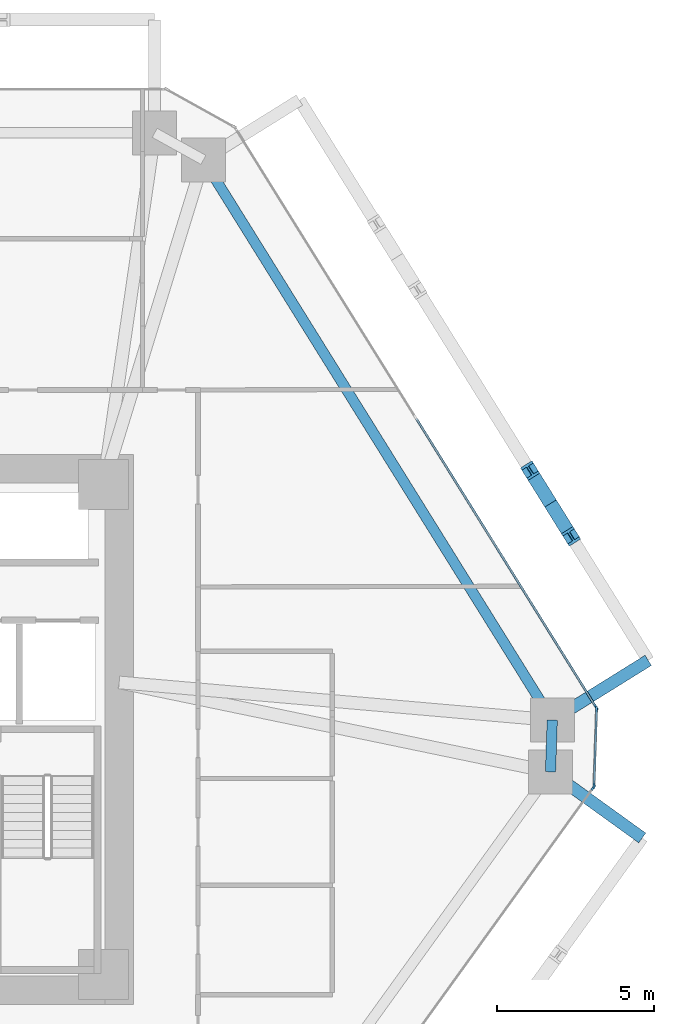
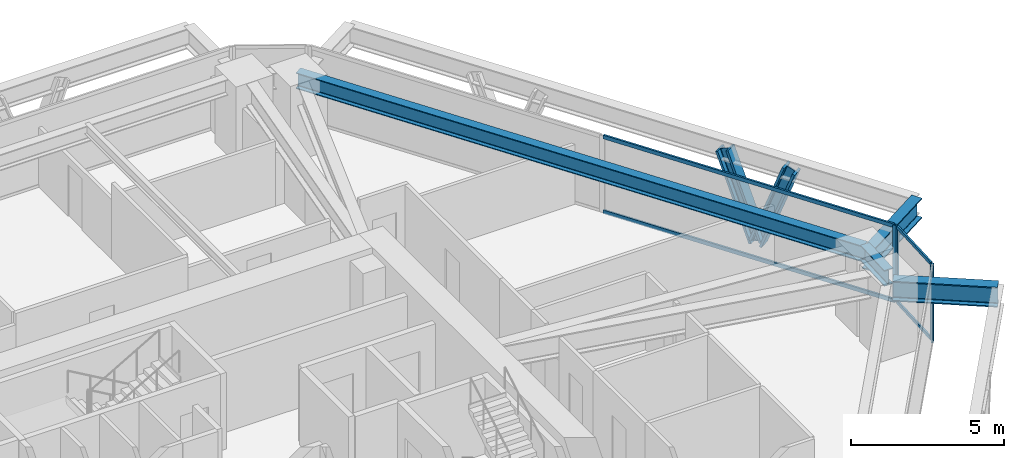
# One storey, part 6 of 15: 10 members, 4 beams, 3 elements without a shape of their own.
"""IFC4 building model written with IfcOpenShell, lengths in metres."""

import ifcopenshell
import ifcopenshell.guid

model = None  # the IFC model being written
_history = None  # IfcOwnerHistory: only IFC2X3 demands one
_inside = {}  # id of a spatial element -> (the spatial element, [elements in it])
_under = {}  # id of a project, library or spatial element -> (it, [spatial elements below it])
_declared = {}  # id of a project -> (the project, [libraries it declares])
_typed = {}  # id of a type object -> (the type object, [elements of that type])
_made_of = {}  # id of a material, layer set ... -> (it, [elements and type objects made of it])


def new_model(schema):
    """Start an empty IFC model of exactly this schema.

    Asked for "IFC4X3", IfcOpenShell would pick the latest addendum, in which some entities
    have other attributes; the version numbers below select the first issue.
    IFC2X3 requires an IfcOwnerHistory on every rooted entity: one is made here for all.
    """
    global model, _history
    if schema == "IFC4X3":
        model = ifcopenshell.file(schema_version=(4, 3, 0, 0))
    else:
        model = ifcopenshell.file(schema=schema)
    _inside.clear()
    _under.clear()
    _declared.clear()
    _typed.clear()
    _made_of.clear()
    _history = None
    if model.schema == "IFC2X3":
        org = make("IfcOrganization", Name="unknown")
        user = make(
            "IfcPersonAndOrganization",
            ThePerson=make("IfcPerson", FamilyName="unknown"),
            TheOrganization=org,
        )
        app = make(
            "IfcApplication",
            ApplicationDeveloper=org,
            Version="unknown",
            ApplicationFullName="unknown",
            ApplicationIdentifier="unknown",
        )
        _history = make(
            "IfcOwnerHistory",
            OwningUser=user,
            OwningApplication=app,
            ChangeAction="ADDED",
            CreationDate=0,
        )
    return model


def make(cls, **values):
    """One entity of the class cls with the attributes given. An attribute that is None is left unset."""
    return model.create_entity(
        cls, **{name: value for name, value in values.items() if value is not None}
    )


def rooted(cls, **values):
    """An entity with a GlobalId (a new one), such as an element, a storey or a relation."""
    return make(cls, GlobalId=ifcopenshell.guid.new(), OwnerHistory=_history, **values)


def si_unit(unit_type, name, prefix=None):
    """IfcSIUnit, for example si_unit("LENGTHUNIT", "METRE", prefix="MILLI")."""
    return make("IfcSIUnit", UnitType=unit_type, Prefix=prefix, Name=name)


def assignment(units):
    """IfcUnitAssignment: the units of a project."""
    return None if units is None else make("IfcUnitAssignment", Units=units)


def point(xyz):
    """IfcCartesianPoint."""
    return None if xyz is None else make("IfcCartesianPoint", Coordinates=xyz)


def direction(xyz):
    """IfcDirection."""
    return None if xyz is None else make("IfcDirection", DirectionRatios=xyz)


def frame(location, z_axis=None, x_axis=None):
    """IfcAxis2Placement3D, a coordinate frame: its origin and axes. An axis left out is left unset."""
    return make(
        "IfcAxis2Placement3D",
        Location=point(location),
        Axis=direction(z_axis),
        RefDirection=direction(x_axis),
    )


def frame_2d(location, x_axis=None):
    """IfcAxis2Placement2D, a coordinate frame in the plane: its origin and x axis."""
    return make(
        "IfcAxis2Placement2D", Location=point(location), RefDirection=direction(x_axis)
    )


def origin():
    """The frame at (0, 0, 0) with its axes left unset."""
    return frame((0.0, 0.0, 0.0))


def origin_2d():
    """The frame at (0, 0) in the plane with its x axis left unset."""
    return frame_2d((0.0, 0.0))


def place(relative_to, where):
    """IfcLocalPlacement: puts the frame where relative to a parent placement (None: the world)."""
    return make(
        "IfcLocalPlacement", PlacementRelTo=relative_to, RelativePlacement=where
    )


def context(
    kind, dimensions, precision=None, world=None, true_north=None, identifier=None
):
    """IfcGeometricRepresentationContext, for example the 3D "Model" context."""
    return make(
        "IfcGeometricRepresentationContext",
        ContextIdentifier=identifier,
        ContextType=kind,
        CoordinateSpaceDimension=dimensions,
        Precision=precision,
        WorldCoordinateSystem=world,
        TrueNorth=true_north,
    )


def subcontext(parent, identifier, kind, view, scale=None):
    """IfcGeometricRepresentationSubContext, for example "Body" below "Model"."""
    return make(
        "IfcGeometricRepresentationSubContext",
        ContextIdentifier=identifier,
        ContextType=kind,
        ParentContext=parent,
        TargetScale=scale,
        TargetView=view,
    )


def project(units=None, contexts=None):
    """IfcProject with its units and contexts."""
    return rooted(
        "IfcProject",
        Name="project",
        RepresentationContexts=contexts,
        UnitsInContext=assignment(units),
    )


def spatial(cls, under=None, at=None, **own):
    """A site, building, storey or space (cls), placed at a placement, below another one or the project."""
    s = rooted(cls, ObjectPlacement=at, **own)
    if under is not None:
        _under.setdefault(under.id(), (under, []))[1].append(s)
    return s


def profile(cls, at=None, kind="AREA", **sizes):
    """A parametric profile (cls). Its sizes go by their IFC names, for example OverallWidth=200.0."""
    return make(cls, ProfileType=kind, Position=at, **sizes)


def rectangle(**sizes):
    """IfcRectangleProfileDef."""
    return profile("IfcRectangleProfileDef", **sizes)


def i_section(**sizes):
    """IfcIShapeProfileDef."""
    return profile("IfcIShapeProfileDef", **sizes)


def extrude(swept, where, along, depth):
    """IfcExtrudedAreaSolid: the profile swept, set in the frame where, extruded along a direction by depth."""
    return make(
        "IfcExtrudedAreaSolid",
        SweptArea=swept,
        Position=where,
        ExtrudedDirection=direction(along),
        Depth=depth,
    )


def shape(context_of_items, identifier, shape_type, items):
    """IfcShapeRepresentation: the items that make up one representation, for example the "Body"."""
    return make(
        "IfcShapeRepresentation",
        ContextOfItems=context_of_items,
        RepresentationIdentifier=identifier,
        RepresentationType=shape_type,
        Items=items,
    )


def source(mapping_origin, context_of_items, identifier, shape_type, items):
    """IfcRepresentationMap: a shape defined once, which mapped items show again and again."""
    return make(
        "IfcRepresentationMap",
        MappingOrigin=mapping_origin,
        MappedRepresentation=shape(context_of_items, identifier, shape_type, items),
    )


def transform(
    local_origin,
    x_axis=None,
    y_axis=None,
    z_axis=None,
    scale=None,
    scale2=None,
    scale3=None,
    uniform=True,
):
    """IfcCartesianTransformationOperator3D, or its non-uniform kind. x_axis, y_axis, z_axis: its Axis1, 2, 3."""
    if uniform:
        return make(
            "IfcCartesianTransformationOperator3D",
            Axis1=direction(x_axis),
            Axis2=direction(y_axis),
            LocalOrigin=point(local_origin),
            Scale=scale,
            Axis3=direction(z_axis),
        )
    return make(
        "IfcCartesianTransformationOperator3DnonUniform",
        Axis1=direction(x_axis),
        Axis2=direction(y_axis),
        LocalOrigin=point(local_origin),
        Scale=scale,
        Axis3=direction(z_axis),
        Scale2=scale2,
        Scale3=scale3,
    )


def mapped(mapping_source, mapping_target):
    """IfcMappedItem: shows the shape of a source again, moved by a transform."""
    return make(
        "IfcMappedItem", MappingSource=mapping_source, MappingTarget=mapping_target
    )


def material(Name=None, Category=None):
    """IfcMaterial."""
    return make("IfcMaterial", Name=Name, Category=Category)


def layer(
    of_material, thickness, ventilated=None, Name=None, Category=None, Priority=None
):
    """IfcMaterialLayer: one layer of a wall or slab, of a material (None: an air gap)."""
    return make(
        "IfcMaterialLayer",
        Material=of_material,
        LayerThickness=thickness,
        IsVentilated=ventilated,
        Name=Name,
        Category=Category,
        Priority=Priority,
    )


def layer_set(layers, Name=None):
    """IfcMaterialLayerSet."""
    return make("IfcMaterialLayerSet", MaterialLayers=layers, LayerSetName=Name)


def material_profile(
    of_material, cross_section, Name=None, Category=None, Priority=None
):
    """IfcMaterialProfile: a cross section and its material."""
    return make(
        "IfcMaterialProfile",
        Name=Name,
        Material=of_material,
        Profile=cross_section,
        Priority=Priority,
        Category=Category,
    )


def profile_set(profiles, Name=None, composite=None):
    """IfcMaterialProfileSet."""
    return make(
        "IfcMaterialProfileSet",
        Name=Name,
        MaterialProfiles=profiles,
        CompositeProfile=composite,
    )


def made_of(thing, what):
    """Note that an element or type object is made of a material, layer set ...; save() writes the relation."""
    if what is not None:
        _made_of.setdefault(what.id(), (what, []))[1].append(thing)
    return thing


def type_object(cls, material=None, **own):
    """A type object (cls), such as IfcWallType, which elements share."""
    return made_of(rooted(cls, **own), material)


def type_shapes(of_type, sources):
    """Give a type object the sources (RepresentationMaps) that its elements show as mapped items."""
    of_type.RepresentationMaps = sources


def element(
    cls,
    number,
    at=None,
    inside=None,
    cuts=None,
    type_object=None,
    material=None,
    context=None,
    identifier="Body",
    shape_type=None,
    held_by="IfcProductDefinitionShape",
    body=None,
    shapes=None,
    **own,
):
    """One element of the class cls, such as IfcWall. Its Tag is "e" and its number.

    at: its placement. inside: the storey or other place that contains it. cuts: it is an
    opening in that element (IfcRelVoidsElement). A single representation is given by context,
    identifier, shape_type and body (its items); several are given by shapes. held_by: the class
    of the entity that holds the representations. save() writes the other relations.
    """
    e = rooted(cls, Tag="e%d" % number, ObjectPlacement=at, **own)
    if body is not None:
        shapes = [shape(context, identifier, shape_type, body)]
    if shapes is not None:
        e.Representation = make(held_by, Representations=shapes)
    if inside is not None:
        _inside.setdefault(inside.id(), (inside, []))[1].append(e)
    if cuts is not None:
        rooted(
            "IfcRelVoidsElement", RelatingBuildingElement=cuts, RelatedOpeningElement=e
        )
    if type_object is not None:
        _typed.setdefault(type_object.id(), (type_object, []))[1].append(e)
    return made_of(e, material)


def aggregate(whole, parts):
    """IfcRelAggregates: a whole, such as a stair, and the parts it consists of."""
    return rooted("IfcRelAggregates", RelatingObject=whole, RelatedObjects=parts)


def save(model, path):
    """Write the relations noted so far, then the file.

    IfcRelAggregates (storeys below a building ...), IfcRelContainedInSpatialStructure (elements
    in a storey), IfcRelDefinesByType, IfcRelAssociatesMaterial and IfcRelDeclares: one each for
    every whole, place, type object, material and project.
    """
    for whole, parts in _under.values():
        aggregate(whole, parts)
    for where, things in _inside.values():
        rooted(
            "IfcRelContainedInSpatialStructure",
            RelatedElements=things,
            RelatingStructure=where,
        )
    for kind, things in _typed.values():
        rooted("IfcRelDefinesByType", RelatedObjects=things, RelatingType=kind)
    for what, things in _made_of.values():
        rooted("IfcRelAssociatesMaterial", RelatedObjects=things, RelatingMaterial=what)
    for by, libraries in _declared.values():
        rooted("IfcRelDeclares", RelatingContext=by, RelatedDefinitions=libraries)
    model.write(path)


model = new_model("IFC4")

# Units and contexts
model_context = context("Model", 3, precision=1e-05, world=origin(), true_north=direction((0.0, 1.0)))
body_context = subcontext(model_context, "Body", "Model", "MODEL_VIEW")
ifc_project = project(units=[si_unit("LENGTHUNIT", "METRE"), si_unit("AREAUNIT", "SQUARE_METRE"), si_unit("VOLUMEUNIT", "CUBIC_METRE"), si_unit("PLANEANGLEUNIT", "RADIAN"), si_unit("MASSUNIT", "GRAM", prefix="KILO")], contexts=[model_context])

# Site, building, storey
site_placement = place(None, origin())
site = spatial("IfcSite", under=ifc_project, at=site_placement, CompositionType="ELEMENT")
building_placement = place(site_placement, origin())
building = spatial("IfcBuilding", under=site, at=building_placement, Name="Durnholm Broadcast Tower", CompositionType="ELEMENT")
storey_placement = place(building_placement, frame((0.0, 0.0, 42.300048828125)))
storey = spatial("IfcBuildingStorey", under=building, at=storey_placement, Name="L09", CompositionType="ELEMENT", Elevation=42.300048828125)

# Beams
ifc_material_1 = material(Name="Steel ASTM A992 Grade 50", Category="steel")
ifc_material_profile_1 = material_profile(ifc_material_1, i_section(OverallWidth=0.3291015625, OverallDepth=0.635009765625, WebThickness=0.017822265625, FlangeThickness=0.031005859375, FilletRadius=0.02783203125, at=origin_2d()), Name="W24X162")
ifc_profile_set_1 = profile_set([ifc_material_profile_1], Name="Steel ASTM A992 Grade 50")
beam_type_1 = type_object("IfcBeamType", Name="STL-SP-W24X162", PredefinedType="SPANDREL", material=ifc_profile_set_1)
shared_shape_1 = source(origin(), body_context, "Body", "SweptSolid", [
    extrude(i_section(OverallWidth=0.3291015625, OverallDepth=0.635009765625, WebThickness=0.017822265625, FlangeThickness=0.031005859375, FilletRadius=0.02783203125, at=origin_2d()), origin(), (0.0, 0.0, 1.0), 21.014404296875),
])
beam_1_placement = place(storey_placement, frame((12.982666015625, 18.138427734375, 2.7275390625), z_axis=(0.528595731543, -0.848873696491, 0.0), x_axis=(0.848873696491, 0.528595731543, 0.0)))
element("IfcBeam", 1, at=beam_1_placement, inside=storey, type_object=beam_type_1, Name="L09 perimeter spandrel girder 07", PredefinedType="SPANDREL", context=body_context, shape_type="MappedRepresentation", body=[
    mapped(shared_shape_1, transform((0.0, 0.0, 0.0), x_axis=(1.0, 0.0, 0.0), y_axis=(0.0, 1.0, 0.0), z_axis=(0.0, 0.0, 1.0), scale=1.0)),
])
shared_shape_2 = source(origin(), body_context, "Body", "SweptSolid", [
    extrude(i_section(OverallWidth=0.3291015625, OverallDepth=0.635009765625, WebThickness=0.017822265625, FlangeThickness=0.031005859375, FilletRadius=0.02783203125, at=origin_2d()), origin(), (0.0, 0.0, 1.0), 1.648193359375),
])
type_shapes(beam_type_1, [shared_shape_1, shared_shape_2])
beam_2_placement = place(storey_placement, frame((24.0908203125, 0.2998046875, 2.7275390625), z_axis=(-0.033921477804, -0.999424501072, 0.0), x_axis=(0.999424501072, -0.033921477804, 0.0)))
element("IfcBeam", 2, at=beam_2_placement, inside=storey, type_object=beam_type_1, Name="L09 perimeter spandrel girder 08", PredefinedType="SPANDREL", context=body_context, shape_type="MappedRepresentation", body=[
    mapped(shared_shape_2, transform((0.0, 0.0, 0.0), x_axis=(1.0, 0.0, 0.0), y_axis=(0.0, 1.0, 0.0), z_axis=(0.0, 0.0, 1.0), scale=1.0)),
])
ifc_material_profile_2 = material_profile(ifc_material_1, i_section(OverallWidth=0.385009765625, OverallDepth=0.802978515625, WebThickness=0.023681640625, FlangeThickness=0.0419921875, FilletRadius=0.032958984375, at=origin_2d()), Name="W30X261")
ifc_profile_set_2 = profile_set([ifc_material_profile_2], Name="Steel ASTM A992 Grade 50")
beam_type_2 = type_object("IfcBeamType", Name="BM-EXO-TIE", PredefinedType="USERDEFINED", material=ifc_profile_set_2)
shared_shape_3 = source(origin(), body_context, "Body", "SweptSolid", [
    extrude(i_section(OverallWidth=0.385009765625, OverallDepth=0.802978515625, WebThickness=0.023681640625, FlangeThickness=0.0419921875, FilletRadius=0.032958984375, at=origin_2d()), origin(), (0.0, 0.0, 1.0), 3.4560546875),
])
beam_3_placement = place(storey_placement, frame((24.212890625, 0.375732421875, 2.30859375), z_axis=(0.848874183218, 0.528594949906, 0.0), x_axis=(-0.528594949906, 0.848874183218, 0.0)))
element("IfcBeam", 3, at=beam_3_placement, inside=storey, type_object=beam_type_2, Name="L09 exoskeleton stand-off tie bracket F3.1", ObjectType="GIRDER", PredefinedType="USERDEFINED", context=body_context, shape_type="MappedRepresentation", body=[
    mapped(shared_shape_3, transform((0.0, 0.0, 0.0), x_axis=(1.0, 0.0, 0.0), y_axis=(0.0, 1.0, 0.0), z_axis=(0.0, 0.0, 1.0), scale=1.0)),
])
shared_shape_4 = source(origin(), body_context, "Body", "SweptSolid", [
    extrude(i_section(OverallWidth=0.385009765625, OverallDepth=0.802978515625, WebThickness=0.023681640625, FlangeThickness=0.0419921875, FilletRadius=0.032958984375, at=origin_2d()), origin(), (0.0, 0.0, 1.0), 3.455810546875),
])
type_shapes(beam_type_2, [shared_shape_3, shared_shape_4])
beam_4_placement = place(storey_placement, frame((24.15185546875, -1.431396484375, 2.30859375), z_axis=(0.811133512552, -0.584861030344, 0.0), x_axis=(0.584861030344, 0.811133512552, 0.0)))
element("IfcBeam", 4, at=beam_4_placement, inside=storey, type_object=beam_type_2, Name="L09 exoskeleton stand-off tie bracket F2.2", ObjectType="GIRDER", PredefinedType="USERDEFINED", context=body_context, shape_type="MappedRepresentation", body=[
    mapped(shared_shape_4, transform((0.0, 0.0, 0.0), x_axis=(1.0, 0.0, 0.0), y_axis=(0.0, 1.0, 0.0), z_axis=(0.0, 0.0, 1.0), scale=1.0)),
])

# Members
ifc_material_2 = material(Name="Steel ASTM A913 Grade 65", Category="steel")
ifc_material_profile_3 = material_profile(ifc_material_2, i_section(OverallWidth=0.43212890625, OverallDepth=0.497802734375, WebThickness=0.0556640625, FlangeThickness=0.0888671875, FilletRadius=0.030517578125, at=origin_2d()), Name="W14X500")
ifc_profile_set_3 = profile_set([ifc_material_profile_3], Name="Steel ASTM A913 Grade 65")
member_type_1 = type_object("IfcMemberType", Name="STL-DG-W14X500", PredefinedType="BRACE", material=ifc_profile_set_3)
shared_shape_5 = source(origin(), body_context, "Body", "SweptSolid", [
    extrude(i_section(OverallWidth=0.43212890625, OverallDepth=0.497802734375, WebThickness=0.0556640625, FlangeThickness=0.0888671875, FilletRadius=0.030517578125, at=origin_2d()), origin(), (0.0, 0.0, 1.0), 3.523193359375),
])
type_shapes(member_type_1, [shared_shape_5])
for number, where, z_axis, x_axis, name in (
    (5, (24.036376953125, 7.197509765625, -0.991455078125), (0.185157304084, -0.297277258428, 0.936665897941), (0.848819847179, 0.528682198523, 0.0), "L09 stand-off diagrid brace F3.D1.1"),
    (6, (24.036376953125, 7.197509765625, -0.991455078125), (-0.185090383068, 0.297281072018, 0.936677913861), (-0.848908635391, -0.528539618911, 0.0), "L09 stand-off diagrid brace F3.D1.2"),
):
    element("IfcMember", number, at=place(storey_placement, frame(where, z_axis=z_axis, x_axis=x_axis)), inside=storey, type_object=member_type_1, Name=name, PredefinedType="BRACE", context=body_context, shape_type="MappedRepresentation", body=[
        mapped(shared_shape_5, transform((0.0, 0.0, 0.0), x_axis=(1.0, 0.0, 0.0), y_axis=(0.0, 1.0, 0.0), z_axis=(0.0, 0.0, 1.0), scale=1.0)),
    ])

# Curtain wall, members
ifc_material_3 = material(Name="Aluminium and Solar Control IGU", Category="aluminium")
ifc_layer_1 = layer(ifc_material_3, 0.1650390625)
ifc_layer_set_1 = layer_set([ifc_layer_1], Name="Aluminium and Solar Control IGU")
curtain_wall_type_1 = type_object("IfcCurtainWallType", Name="CW-SYS-5", PredefinedType="NOTDEFINED", material=ifc_layer_set_1)
curtain_wall_1_placement = place(storey_placement, origin())
curtain_wall_1 = element("IfcCurtainWall", 7, at=curtain_wall_1_placement, inside=storey, type_object=curtain_wall_type_1, Name="L09 curtain wall CW-CORNER CW-L09-CRN-07", PredefinedType="NOTDEFINED")
ifc_material_4 = material(Name="Aluminium 6063-T6", Category="aluminium")
ifc_material_profile_4 = material_profile(ifc_material_4, rectangle(XDim=0.06494140625, YDim=0.1650390625, at=origin_2d()), Name="CWM65X165")
ifc_profile_set_4 = profile_set([ifc_material_profile_4], Name="Aluminium 6063-T6")
member_type_2 = type_object("IfcMemberType", Name="CW-SYS-5-MUL", PredefinedType="MULLION", material=ifc_profile_set_4)
shared_shape_6 = source(origin(), body_context, "Body", "SweptSolid", [
    extrude(rectangle(XDim=0.06494140625, YDim=0.1650390625, at=origin_2d()), origin(), (0.0, 0.0, 1.0), 3.06005859375),
])
type_shapes(member_type_2, [shared_shape_6])
member_1_placement = place(storey_placement, frame((25.50341796875, 0.6455078125, 0.0), z_axis=(0.0, 0.0, 1.0), x_axis=(0.999427277772, -0.033839569233, 0.0)))
member_1 = element("IfcMember", 8, at=member_1_placement, type_object=member_type_2, Name="CW-CORNER mullion 1", PredefinedType="MULLION", context=body_context, shape_type="MappedRepresentation", body=[
    mapped(shared_shape_6, transform((0.0, 0.0, 0.0), x_axis=(1.0, 0.0, 0.0), y_axis=(0.0, 1.0, 0.0), z_axis=(0.0, 0.0, 1.0), scale=1.0)),
])
member_2_placement = place(storey_placement, frame((25.4208984375, -1.7880859375, 0.0), z_axis=(0.0, 0.0, 1.0), x_axis=(0.999427277772, -0.033839569233, 0.0)))
member_2 = element("IfcMember", 9, at=member_2_placement, type_object=member_type_2, Name="CW-CORNER mullion 2", PredefinedType="MULLION", context=body_context, shape_type="MappedRepresentation", body=[
    mapped(shared_shape_6, transform((0.0, 0.0, 0.0), x_axis=(1.0, 0.0, 0.0), y_axis=(0.0, 1.0, 0.0), z_axis=(0.0, 0.0, 1.0), scale=1.0)),
])
ifc_material_profile_5 = material_profile(ifc_material_4, rectangle(XDim=0.06494140625, YDim=0.1298828125, at=origin_2d()), Name="CWT65X130")
ifc_profile_set_5 = profile_set([ifc_material_profile_5], Name="Aluminium 6063-T6")
member_type_3 = type_object("IfcMemberType", Name="CW-SYS-5-TRN", PredefinedType="USERDEFINED", material=ifc_profile_set_5)
shared_shape_7 = source(origin(), body_context, "Body", "SweptSolid", [
    extrude(rectangle(XDim=0.06494140625, YDim=0.1298828125, at=origin_2d()), origin(), (0.0, 0.0, 1.0), 2.3701171875),
])
type_shapes(member_type_3, [shared_shape_7])
member_3_placement = place(storey_placement, frame((25.502197265625, 0.613037109375, 0.032470703125), z_axis=(-0.033788158898, -0.999429017148, 0.0), x_axis=(0.999429017148, -0.033788158898, 0.0)))
member_3 = element("IfcMember", 10, at=member_3_placement, type_object=member_type_3, Name="CW-CORNER transom 1.1", ObjectType="TRANSOM", PredefinedType="USERDEFINED", context=body_context, shape_type="MappedRepresentation", body=[
    mapped(shared_shape_7, transform((0.0, 0.0, 0.0), x_axis=(1.0, 0.0, 0.0), y_axis=(0.0, 1.0, 0.0), z_axis=(0.0, 0.0, 1.0), scale=1.0)),
])
member_4_placement = place(storey_placement, frame((25.502197265625, 0.613037109375, 3.02734375), z_axis=(-0.033788158898, -0.999429017148, 0.0), x_axis=(0.999429017148, -0.033788158898, 0.0)))
member_4 = element("IfcMember", 11, at=member_4_placement, type_object=member_type_3, Name="CW-CORNER transom 1.2", ObjectType="TRANSOM", PredefinedType="USERDEFINED", context=body_context, shape_type="MappedRepresentation", body=[
    mapped(shared_shape_7, transform((0.0, 0.0, 0.0), x_axis=(1.0, 0.0, 0.0), y_axis=(0.0, 1.0, 0.0), z_axis=(0.0, 0.0, 1.0), scale=1.0)),
])
aggregate(curtain_wall_1, [member_1, member_2, member_3, member_4])

# Curtain wall, member
ifc_layer_2 = layer(ifc_material_3, 0.18994140625)
ifc_layer_set_2 = layer_set([ifc_layer_2], Name="Aluminium and Solar Control IGU")
curtain_wall_type_2 = type_object("IfcCurtainWallType", Name="CW-SYS-3", PredefinedType="NOTDEFINED", material=ifc_layer_set_2)
curtain_wall_2_placement = place(storey_placement, origin())
curtain_wall_2 = element("IfcCurtainWall", 12, at=curtain_wall_2_placement, inside=storey, type_object=curtain_wall_type_2, Name="L09 curtain wall CW-Z12-VIS CW-L09-F06", PredefinedType="NOTDEFINED")
ifc_material_profile_6 = material_profile(ifc_material_4, rectangle(XDim=0.070068359375, YDim=0.18994140625, at=origin_2d()), Name="CWM70X190")
ifc_profile_set_6 = profile_set([ifc_material_profile_6], Name="Aluminium 6063-T6")
member_type_4 = type_object("IfcMemberType", Name="CW-SYS-3-MUL", PredefinedType="MULLION", material=ifc_profile_set_6)
shared_shape_8 = source(origin(), body_context, "Body", "SweptSolid", [
    extrude(rectangle(XDim=0.070068359375, YDim=0.18994140625, at=origin_2d()), origin(), (0.0, 0.0, 1.0), 3.06005859375),
])
type_shapes(member_type_4, [shared_shape_8])
member_5_placement = place(storey_placement, frame((25.48583984375, 0.707763671875, 0.0), z_axis=(0.0, 0.0, 1.0), x_axis=(0.848875785503, 0.528592376777, 0.0)))
member_5 = element("IfcMember", 13, at=member_5_placement, type_object=member_type_4, Name="CW-Z12-VIS mullion 3", PredefinedType="MULLION", context=body_context, shape_type="MappedRepresentation", body=[
    mapped(shared_shape_8, transform((0.0, 0.0, 0.0), x_axis=(1.0, 0.0, 0.0), y_axis=(0.0, 1.0, 0.0), z_axis=(0.0, 0.0, 1.0), scale=1.0)),
])

curtain_wall_3_placement = place(storey_placement, origin())
curtain_wall_3 = element("IfcCurtainWall", 14, at=curtain_wall_3_placement, inside=storey, type_object=curtain_wall_type_2, Name="L09 curtain wall CW-Z12-VIS CW-L09-F08", PredefinedType="NOTDEFINED")
member_6_placement = place(storey_placement, frame((25.3994140625, -1.848876953125, 0.0), z_axis=(0.0, 0.0, 1.0), x_axis=(0.81116057493, -0.584823496176, 0.0)))
member_6 = element("IfcMember", 15, at=member_6_placement, type_object=member_type_4, Name="CW-Z12-VIS mullion 1", PredefinedType="MULLION", context=body_context, shape_type="MappedRepresentation", body=[
    mapped(shared_shape_8, transform((0.0, 0.0, 0.0), x_axis=(1.0, 0.0, 0.0), y_axis=(0.0, 1.0, 0.0), z_axis=(0.0, 0.0, 1.0), scale=1.0)),
])
aggregate(curtain_wall_3, [member_6])

# Member
ifc_material_profile_7 = material_profile(ifc_material_4, rectangle(XDim=0.070068359375, YDim=0.14990234375, at=origin_2d()), Name="CWT70X150")
ifc_profile_set_7 = profile_set([ifc_material_profile_7], Name="Aluminium 6063-T6")
member_type_5 = type_object("IfcMemberType", Name="CW-SYS-3-TRN", PredefinedType="USERDEFINED", material=ifc_profile_set_7)
shared_shape_9 = source(origin(), body_context, "Body", "SweptSolid", [
    extrude(rectangle(XDim=0.070068359375, YDim=0.14990234375, at=origin_2d()), origin(), (0.0, 0.0, 1.0), 10.796630859375),
])
type_shapes(member_type_5, [shared_shape_9])
member_7_placement = place(storey_placement, frame((19.760498046875, 9.902587890625, 0.034912109375), z_axis=(0.528575362968, -0.848886379714, 0.0), x_axis=(0.848886379714, 0.528575362968, 0.0)))
member_7 = element("IfcMember", 16, at=member_7_placement, type_object=member_type_5, Name="CW-Z12-VIS transom 2.1", ObjectType="TRANSOM", PredefinedType="USERDEFINED", context=body_context, shape_type="MappedRepresentation", body=[
    mapped(shared_shape_9, transform((0.0, 0.0, 0.0), x_axis=(1.0, 0.0, 0.0), y_axis=(0.0, 1.0, 0.0), z_axis=(0.0, 0.0, 1.0), scale=1.0)),
])

member_8_placement = place(storey_placement, frame((19.760498046875, 9.902587890625, 3.02490234375), z_axis=(0.528575362968, -0.848886379714, 0.0), x_axis=(0.848886379714, 0.528575362968, 0.0)))
member_8 = element("IfcMember", 17, at=member_8_placement, type_object=member_type_5, Name="CW-Z12-VIS transom 2.2", ObjectType="TRANSOM", PredefinedType="USERDEFINED", context=body_context, shape_type="MappedRepresentation", body=[
    mapped(shared_shape_9, transform((0.0, 0.0, 0.0), x_axis=(1.0, 0.0, 0.0), y_axis=(0.0, 1.0, 0.0), z_axis=(0.0, 0.0, 1.0), scale=1.0)),
])

aggregate(curtain_wall_2, [member_5, member_7, member_8])

save(model, "model.ifc")
